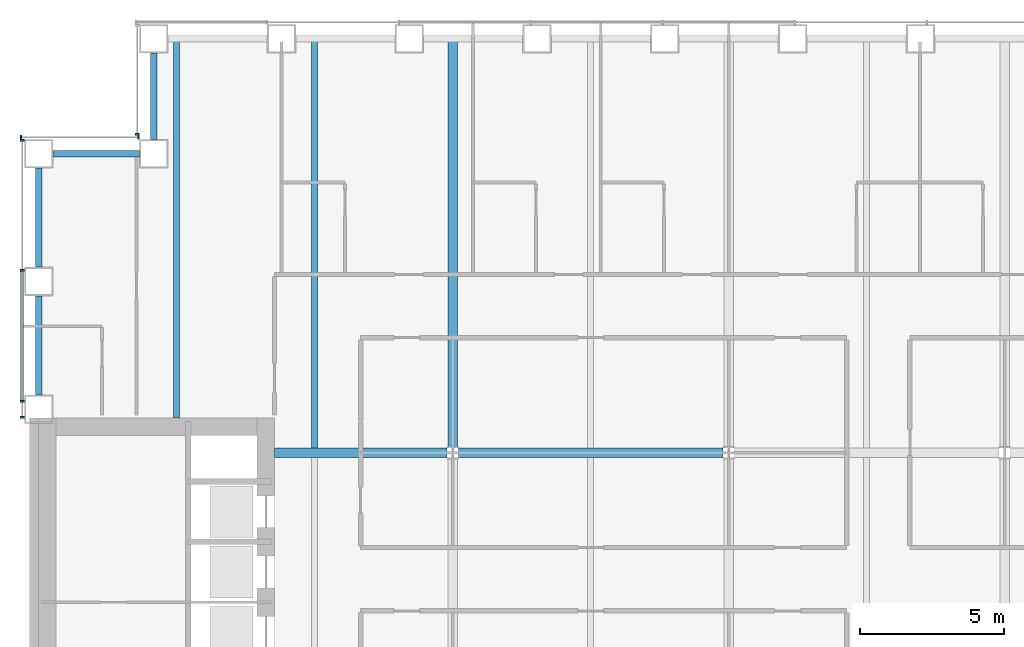
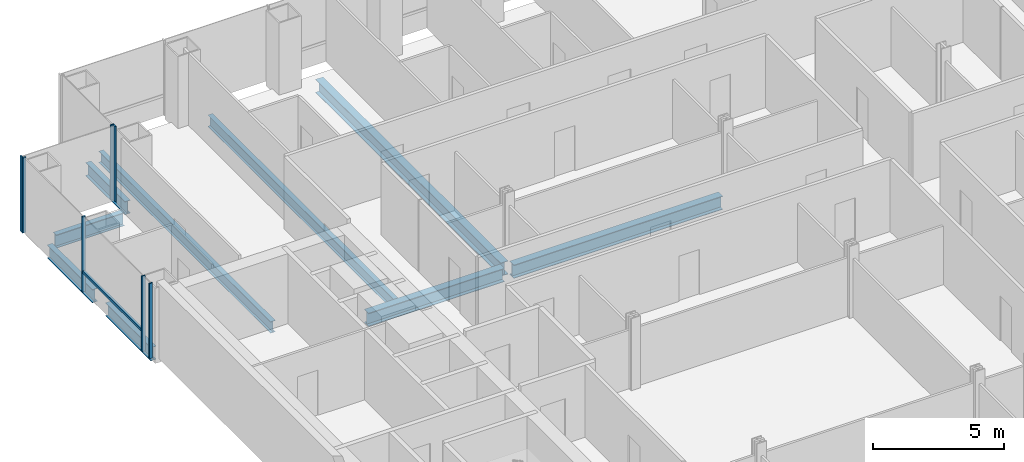
# One storey, part 7 of 23: 9 beams, 8 members, 3 elements without a shape of their own.
"""IFC4 building model written with IfcOpenShell, lengths in metres."""

from ifc_helpers import new_model, si_unit, direction, frame, origin, origin_2d, place, context, subcontext, project, spatial, rectangle, i_section, extrude, material, material_profile, profile_set, type_object, element, aggregate, save


model = new_model("IFC4")

# Units and contexts
model_context = context("Model", 3, precision=1e-05, world=origin(), true_north=direction((0.0, 1.0)))
body_context = subcontext(model_context, "Body", "Model", "MODEL_VIEW")
ifc_project = project(units=[si_unit("LENGTHUNIT", "METRE"), si_unit("AREAUNIT", "SQUARE_METRE"), si_unit("VOLUMEUNIT", "CUBIC_METRE"), si_unit("PLANEANGLEUNIT", "RADIAN"), si_unit("MASSUNIT", "GRAM", prefix="KILO")], contexts=[model_context])

# Site, building, storey
site_placement = place(None, origin())
site = spatial("IfcSite", under=ifc_project, at=site_placement, CompositionType="ELEMENT")
building_placement = place(site_placement, origin())
building = spatial("IfcBuilding", under=site, at=building_placement, Name="Cobrizo Arcos Hotel Tower", CompositionType="ELEMENT")
storey_placement = place(building_placement, frame((0.0, 0.0, 49.5)))
storey = spatial("IfcBuildingStorey", under=building, at=storey_placement, Name="L10", CompositionType="ELEMENT", Elevation=49.5)

# Curtain wall, member
ifc_material_1 = material(Name="Aluminium 6063-T6 anodised bronze", Category="aluminium")
curtain_wall_type = type_object("IfcCurtainWallType", Name="CW-A guest facade", PredefinedType="NOTDEFINED", material=ifc_material_1)
curtain_wall_1_placement = place(storey_placement, origin())
curtain_wall_1 = element("IfcCurtainWall", 1, at=curtain_wall_1_placement, inside=storey, type_object=curtain_wall_type, Name="CW-A L10 W face", PredefinedType="NOTDEFINED")
ifc_material_profile_1 = material_profile(ifc_material_1, rectangle(XDim=0.14990234375, YDim=0.06005859375, at=origin_2d()), Name="CW-A mullion 150x60")
ifc_profile_set_1 = profile_set([ifc_material_profile_1], Name="Aluminium 6063-T6 anodised bronze")
member_type_1 = type_object("IfcMemberType", Name="CW-A mullion 150x60", PredefinedType="MULLION", material=ifc_profile_set_1)
member_1_placement = place(storey_placement, frame((-20.574951171875, 20.679931640625, 0.0), z_axis=(0.0, 0.0, 1.0), x_axis=(-1.0, 0.0, 0.0)))
member_1 = element("IfcMember", 2, at=member_1_placement, type_object=member_type_1, Name="CW-A mullion 2", PredefinedType="MULLION", context=body_context, shape_type="SweptSolid", body=[
    extrude(rectangle(XDim=0.14990234375, YDim=0.06005859375, at=origin_2d()), origin(), (0.0, 0.0, 1.0), 3.5),
])
aggregate(curtain_wall_1, [member_1])

# Curtain wall, members
curtain_wall_2_placement = place(storey_placement, origin())
curtain_wall_2 = element("IfcCurtainWall", 3, at=curtain_wall_2_placement, inside=storey, type_object=curtain_wall_type, Name="CW-A L10 N face", PredefinedType="NOTDEFINED")
member_2_placement = place(storey_placement, frame((-20.530029296875, 20.574951171875, 0.0), z_axis=(0.0, 0.0, 1.0), x_axis=(0.0, 1.0, 0.0)))
member_2 = element("IfcMember", 4, at=member_2_placement, type_object=member_type_1, Name="CW-A mullion 1", PredefinedType="MULLION", context=body_context, shape_type="SweptSolid", body=[
    extrude(rectangle(XDim=0.14990234375, YDim=0.06005859375, at=origin_2d()), origin(), (0.0, 0.0, 1.0), 3.5),
])
member_3_placement = place(storey_placement, frame((-24.6201171875, 20.574951171875, 0.0), z_axis=(0.0, 0.0, 1.0), x_axis=(0.0, 1.0, 0.0)))
member_3 = element("IfcMember", 5, at=member_3_placement, type_object=member_type_1, Name="CW-A mullion 2", PredefinedType="MULLION", context=body_context, shape_type="SweptSolid", body=[
    extrude(rectangle(XDim=0.14990234375, YDim=0.06005859375, at=origin_2d()), origin(), (0.0, 0.0, 1.0), 3.5),
])
aggregate(curtain_wall_2, [member_2, member_3])

curtain_wall_3_placement = place(storey_placement, origin())
curtain_wall_3 = element("IfcCurtainWall", 6, at=curtain_wall_3_placement, inside=storey, type_object=curtain_wall_type, Name="CW-A L10 W face", PredefinedType="NOTDEFINED")
member_4_placement = place(storey_placement, frame((-24.574951171875, 20.469970703125, 0.0), z_axis=(0.0, 0.0, 1.0), x_axis=(-1.0, 0.0, 0.0)))
member_4 = element("IfcMember", 7, at=member_4_placement, type_object=member_type_1, Name="CW-A mullion 1", PredefinedType="MULLION", context=body_context, shape_type="SweptSolid", body=[
    extrude(rectangle(XDim=0.14990234375, YDim=0.06005859375, at=origin_2d()), origin(), (0.0, 0.0, 1.0), 3.5),
])
member_5_placement = place(storey_placement, frame((-24.574951171875, 15.9443359375, 0.0), z_axis=(0.0, 0.0, 1.0), x_axis=(-1.0, 0.0, 0.0)))
member_5 = element("IfcMember", 8, at=member_5_placement, type_object=member_type_1, Name="CW-A mullion 2", PredefinedType="MULLION", context=body_context, shape_type="SweptSolid", body=[
    extrude(rectangle(XDim=0.14990234375, YDim=0.06005859375, at=origin_2d()), origin(), (0.0, 0.0, 1.0), 3.5),
])
member_6_placement = place(storey_placement, frame((-24.574951171875, 11.388916015625, 0.0), z_axis=(0.0, 0.0, 1.0), x_axis=(-1.0, 0.0, 0.0)))
member_6 = element("IfcMember", 9, at=member_6_placement, type_object=member_type_1, Name="CW-A mullion 3", PredefinedType="MULLION", context=body_context, shape_type="SweptSolid", body=[
    extrude(rectangle(XDim=0.14990234375, YDim=0.06005859375, at=origin_2d()), origin(), (0.0, 0.0, 1.0), 3.5),
])
member_7_placement = place(storey_placement, frame((-24.574951171875, 10.830078125, 0.0), z_axis=(0.0, 0.0, 1.0), x_axis=(-1.0, 0.0, 0.0)))
member_7 = element("IfcMember", 10, at=member_7_placement, type_object=member_type_1, Name="CW-A mullion 4", PredefinedType="MULLION", context=body_context, shape_type="SweptSolid", body=[
    extrude(rectangle(XDim=0.14990234375, YDim=0.06005859375, at=origin_2d()), origin(), (0.0, 0.0, 1.0), 3.5),
])
ifc_material_profile_2 = material_profile(ifc_material_1, rectangle(XDim=0.10009765625, YDim=0.1201171875, at=origin_2d()), Name="CW-A transom 120x100")
ifc_profile_set_2 = profile_set([ifc_material_profile_2], Name="Aluminium 6063-T6 anodised bronze")
member_type_2 = type_object("IfcMemberType", Name="CW-A transom 120x100", PredefinedType="USERDEFINED", material=ifc_profile_set_2)
member_8_placement = place(storey_placement, frame((-24.574951171875, 15.91455078125, 0.929931640625), z_axis=(0.0, -1.0, 0.0), x_axis=(1.0, 0.0, 0.0)))
member_8 = element("IfcMember", 11, at=member_8_placement, type_object=member_type_2, Name="CW-A transom 506", ObjectType="TRANSOM", PredefinedType="USERDEFINED", context=body_context, shape_type="SweptSolid", body=[
    extrude(rectangle(XDim=0.10009765625, YDim=0.1201171875, at=origin_2d()), origin(), (0.0, 0.0, 1.0), 4.49560546875),
])
aggregate(curtain_wall_3, [member_4, member_5, member_6, member_7, member_8])

# Beams
ifc_material_2 = material(Name="Steel ASTM A992 Grade 50", Category="steel")
ifc_material_profile_3 = material_profile(ifc_material_2, i_section(OverallWidth=0.209228515625, OverallDepth=0.533447265625, WebThickness=0.01025390625, FlangeThickness=0.015625, at=origin_2d()), Name="W21X62")
ifc_profile_set_3 = profile_set([ifc_material_profile_3], Name="Steel ASTM A992 Grade 50")
beam_type_1 = type_object("IfcBeamType", Name="W21X62 joist", PredefinedType="JOIST", material=ifc_profile_set_3)
beam_1_placement = place(storey_placement, frame((-19.199951171875, 10.81005859375, -0.416748046875), z_axis=(0.0, 1.0, 0.0), x_axis=(-1.0, 0.0, 0.0)))
element("IfcBeam", 12, at=beam_1_placement, inside=storey, type_object=beam_type_1, Name="Floor joist J1, L10, no. 002", PredefinedType="JOIST", context=body_context, shape_type="SweptSolid", body=[
    extrude(i_section(OverallWidth=0.209228515625, OverallDepth=0.533447265625, WebThickness=0.01025390625, FlangeThickness=0.015625, at=origin_2d()), origin(), (0.0, 0.0, 1.0), 13.099853515625),
])
beam_2_placement = place(storey_placement, frame((-14.39990234375, 9.763916015625, -0.416748046875), z_axis=(0.0, 1.0, 0.0), x_axis=(-1.0, 0.0, 0.0)))
element("IfcBeam", 13, at=beam_2_placement, inside=storey, type_object=beam_type_1, Name="Floor joist J1, L10, no. 006", PredefinedType="JOIST", context=body_context, shape_type="SweptSolid", body=[
    extrude(i_section(OverallWidth=0.209228515625, OverallDepth=0.533447265625, WebThickness=0.01025390625, FlangeThickness=0.015625, at=origin_2d()), origin(), (0.0, 0.0, 1.0), 14.14599609375),
])
ifc_material_profile_4 = material_profile(ifc_material_2, i_section(OverallWidth=0.32763671875, OverallDepth=0.622314453125, WebThickness=0.015380859375, FlangeThickness=0.0244140625, at=origin_2d()), Name="W24X131")
ifc_profile_set_4 = profile_set([ifc_material_profile_4], Name="Steel ASTM A992 Grade 50")
beam_type_2 = type_object("IfcBeamType", Name="W24X131 girder", PredefinedType="BEAM", material=ifc_profile_set_4)
beam_3_placement = place(storey_placement, frame((-15.7900390625, 9.60009765625, -0.461181640625), z_axis=(1.0, 0.0, 0.0), x_axis=(0.0, 1.0, 0.0)))
element("IfcBeam", 14, at=beam_3_placement, inside=storey, type_object=beam_type_2, Name="Floor girder G1, L10, no. 009", PredefinedType="BEAM", context=body_context, shape_type="SweptSolid", body=[
    extrude(i_section(OverallWidth=0.32763671875, OverallDepth=0.622314453125, WebThickness=0.015380859375, FlangeThickness=0.0244140625, at=origin_2d()), origin(), (0.0, 0.0, 1.0), 5.985595703125),
])
beam_4_placement = place(storey_placement, frame((-9.3955078125, 9.60009765625, -0.461181640625), z_axis=(1.0, 0.0, 0.0), x_axis=(0.0, 1.0, 0.0)))
element("IfcBeam", 15, at=beam_4_placement, inside=storey, type_object=beam_type_2, Name="Floor girder G1, L10, no. 010", PredefinedType="BEAM", context=body_context, shape_type="SweptSolid", body=[
    extrude(i_section(OverallWidth=0.32763671875, OverallDepth=0.622314453125, WebThickness=0.015380859375, FlangeThickness=0.0244140625, at=origin_2d()), origin(), (0.0, 0.0, 1.0), 9.191162109375),
])
beam_5_placement = place(storey_placement, frame((-9.60009765625, 9.804443359375, -0.461181640625), z_axis=(0.0, 1.0, 0.0), x_axis=(-1.0, 0.0, 0.0)))
element("IfcBeam", 16, at=beam_5_placement, inside=storey, type_object=beam_type_2, Name="Floor girder G1, L10, no. 016", PredefinedType="BEAM", context=body_context, shape_type="SweptSolid", body=[
    extrude(i_section(OverallWidth=0.32763671875, OverallDepth=0.622314453125, WebThickness=0.015380859375, FlangeThickness=0.0244140625, at=origin_2d()), origin(), (0.0, 0.0, 1.0), 14.10546875),
])
ifc_material_profile_5 = material_profile(ifc_material_2, i_section(OverallWidth=0.23046875, OverallDepth=0.6171875, WebThickness=0.01318359375, FlangeThickness=0.022216796875, at=origin_2d()), Name="W24X94")
ifc_profile_set_5 = profile_set([ifc_material_profile_5], Name="Steel ASTM A992 Grade 50")
beam_type_3 = type_object("IfcBeamType", Name="W24X94 spandrel", PredefinedType="SPANDREL", material=ifc_profile_set_5)
for number, where, z_axis, x_axis, name in (
    (17, (-20.0, 23.5, -0.45849609375), (0.0, -1.0, 0.0), (1.0, 0.0, 0.0), "Spandrel beam W24X94, L10, no. 027"),
    (18, (-20.5, 20.0, -0.45849609375), (-1.0, 0.0, 0.0), (0.0, -1.0, 0.0), "Spandrel beam W24X94, L10, no. 028"),
):
    element("IfcBeam", number, at=place(storey_placement, frame(where, z_axis=z_axis, x_axis=x_axis)), inside=storey, type_object=beam_type_3, Name=name, PredefinedType="SPANDREL", context=body_context, shape_type="SweptSolid", body=[
        extrude(i_section(OverallWidth=0.23046875, OverallDepth=0.6171875, WebThickness=0.01318359375, FlangeThickness=0.022216796875, at=origin_2d()), origin(), (0.0, 0.0, 1.0), 3.0),
    ])
beam_6_placement = place(storey_placement, frame((-24.0, 19.5, -0.45849609375), z_axis=(0.0, -1.0, 0.0), x_axis=(1.0, 0.0, 0.0)))
element("IfcBeam", 19, at=beam_6_placement, inside=storey, type_object=beam_type_3, Name="Spandrel beam W24X94, L10, no. 029", PredefinedType="SPANDREL", context=body_context, shape_type="SweptSolid", body=[
    extrude(i_section(OverallWidth=0.23046875, OverallDepth=0.6171875, WebThickness=0.01318359375, FlangeThickness=0.022216796875, at=origin_2d()), origin(), (0.0, 0.0, 1.0), 3.444091796875),
])
beam_7_placement = place(storey_placement, frame((-24.0, 15.055908203125, -0.45849609375), z_axis=(0.0, -1.0, 0.0), x_axis=(1.0, 0.0, 0.0)))
element("IfcBeam", 20, at=beam_7_placement, inside=storey, type_object=beam_type_3, Name="Spandrel beam W24X94, L10, no. 030", PredefinedType="SPANDREL", context=body_context, shape_type="SweptSolid", body=[
    extrude(i_section(OverallWidth=0.23046875, OverallDepth=0.6171875, WebThickness=0.01318359375, FlangeThickness=0.022216796875, at=origin_2d()), origin(), (0.0, 0.0, 1.0), 3.44482421875),
])

save(model, "model.ifc")
